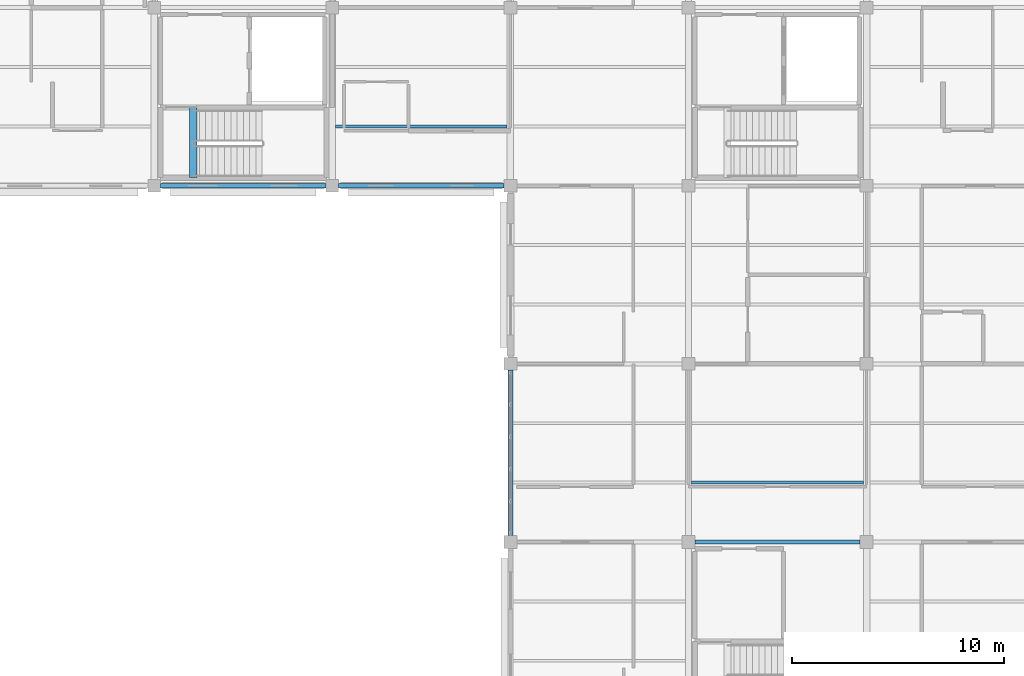
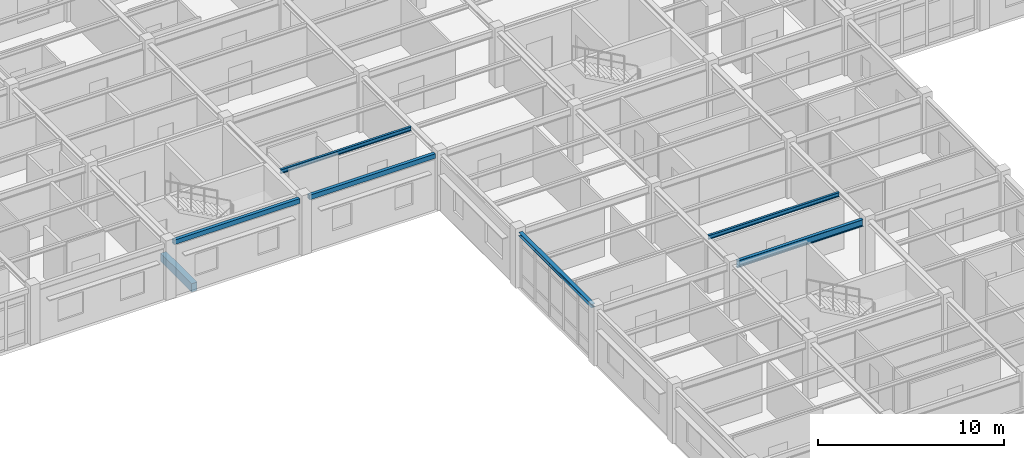
# One storey, part 20 of 70: 7 beams.
"""IFC4 building model written with IfcOpenShell, lengths in metres."""

from ifc_helpers import new_model, si_unit, direction, frame, origin, origin_2d, place, context, subcontext, project, spatial, rectangle, hollow_rectangle, i_section, extrude, material, material_profile, profile_set, type_object, element, save


model = new_model("IFC4")

# Units and contexts
model_context = context("Model", 3, precision=1e-05, world=origin(), true_north=direction((0.0, 1.0)))
body_context = subcontext(model_context, "Body", "Model", "MODEL_VIEW")
ifc_project = project(units=[si_unit("LENGTHUNIT", "METRE"), si_unit("AREAUNIT", "SQUARE_METRE"), si_unit("VOLUMEUNIT", "CUBIC_METRE"), si_unit("PLANEANGLEUNIT", "RADIAN"), si_unit("MASSUNIT", "GRAM", prefix="KILO")], contexts=[model_context])

# Site, building, storey
site_placement = place(None, origin())
site = spatial("IfcSite", under=ifc_project, at=site_placement, CompositionType="ELEMENT")
building_placement = place(site_placement, origin())
building = spatial("IfcBuilding", under=site, at=building_placement, Name="Bramfleet General Hospital", CompositionType="ELEMENT")
storey_placement = place(building_placement, frame((0.0, 0.0, 22.5)))
storey = spatial("IfcBuildingStorey", under=building, at=storey_placement, Name="L05", CompositionType="ELEMENT", Elevation=22.5)

# Beams
ifc_material_1 = material(Name="Steel S355", Category="steel")
ifc_material_profile_1 = material_profile(ifc_material_1, i_section(OverallWidth=0.239990234375, OverallDepth=0.22998046875, WebThickness=0.007568359375, FlangeThickness=0.011962890625, FilletRadius=0.02099609375, at=origin_2d()), Name="HEA 240")
ifc_profile_set_1 = profile_set([ifc_material_profile_1], Name="Steel S355")
beam_type_1 = type_object("IfcBeamType", Name="BM-HEA240", PredefinedType="SPANDREL", material=ifc_profile_set_1)
beam_1_placement = place(storey_placement, frame((92.39990234375, 75.89990234375, 3.5048828125), z_axis=(0.0, 1.0, 0.0), x_axis=(-1.0, 0.0, 0.0)))
element("IfcBeam", 1, at=beam_1_placement, inside=storey, type_object=beam_type_1, Name="L05 Grid Beam Y 11-09", PredefinedType="SPANDREL", context=body_context, shape_type="SweptSolid", body=[
    extrude(i_section(OverallWidth=0.239990234375, OverallDepth=0.22998046875, WebThickness=0.007568359375, FlangeThickness=0.011962890625, FilletRadius=0.02099609375, at=origin_2d()), origin(), (0.0, 0.0, 1.0), 7.800048828125),
])
ifc_material_profile_2 = material_profile(ifc_material_1, i_section(OverallWidth=0.135009765625, OverallDepth=0.27001953125, WebThickness=0.006591796875, FlangeThickness=0.01025390625, FilletRadius=0.014892578125, at=origin_2d()), Name="IPE 270")
ifc_profile_set_2 = profile_set([ifc_material_profile_2], Name="Steel S355")
beam_type_2 = type_object("IfcBeamType", Name="BM-IPE270", PredefinedType="JOIST", material=ifc_profile_set_2)
for number, where, z_axis, x_axis, name in (
    (2, (84.14990234375, 95.199951171875, 3.485107421875), (1.0, 0.0, 0.0), (0.0, 1.0, 0.0), "L05 Secondary Joist 10-11-1"),
    (3, (100.949951171875, 78.39990234375, 3.485107421875), (1.0, 0.0, 0.0), (0.0, 1.0, 0.0), "L05 Secondary Joist 12-09-1"),
):
    element("IfcBeam", number, at=place(storey_placement, frame(where, z_axis=z_axis, x_axis=x_axis)), inside=storey, type_object=beam_type_2, Name=name, PredefinedType="JOIST", context=body_context, shape_type="SweptSolid", body=[
        extrude(i_section(OverallWidth=0.135009765625, OverallDepth=0.27001953125, WebThickness=0.006591796875, FlangeThickness=0.01025390625, FilletRadius=0.014892578125, at=origin_2d()), origin(), (0.0, 0.0, 1.0), 8.10009765625),
    ])
ifc_material_profile_3 = material_profile(ifc_material_1, i_section(OverallWidth=0.18994140625, OverallDepth=0.449951171875, WebThickness=0.009521484375, FlangeThickness=0.0146484375, FilletRadius=0.02099609375, at=origin_2d()), Name="IPE 450")
ifc_profile_set_3 = profile_set([ifc_material_profile_3], Name="Steel S355")
beam_type_3 = type_object("IfcBeamType", Name="BM-IPE450", PredefinedType="BEAM", material=ifc_profile_set_3)
beam_2_placement = place(storey_placement, frame((101.10009765625, 75.60009765625, 3.39501953125), z_axis=(1.0, 0.0, 0.0), x_axis=(0.0, 1.0, 0.0)))
element("IfcBeam", 4, at=beam_2_placement, inside=storey, type_object=beam_type_3, Name="L05 Grid Beam X 12-09", PredefinedType="BEAM", context=body_context, shape_type="SweptSolid", body=[
    extrude(i_section(OverallWidth=0.18994140625, OverallDepth=0.449951171875, WebThickness=0.009521484375, FlangeThickness=0.0146484375, FilletRadius=0.02099609375, at=origin_2d()), origin(), (0.0, 0.0, 1.0), 7.7998046875),
])
ifc_material_2 = material(Name="Concrete C35/45", Category="concrete")
ifc_material_profile_4 = material_profile(ifc_material_2, rectangle(XDim=0.35009765625, YDim=0.550048828125, at=origin_2d()), Name="RC BM 550x350")
ifc_profile_set_4 = profile_set([ifc_material_profile_4], Name="Concrete C35/45")
beam_type_4 = type_object("IfcBeamType", Name="BM-RC550", PredefinedType="BEAM", material=ifc_profile_set_4)
beam_3_placement = place(storey_placement, frame((77.43994140625, 92.780029296875, -0.27490234375), z_axis=(0.0, 1.0, 0.0), x_axis=(-1.0, 0.0, 0.0)))
element("IfcBeam", 5, at=beam_3_placement, inside=storey, type_object=beam_type_4, Name="L05 C5 Stairwell Trimmer Beam", PredefinedType="BEAM", context=body_context, shape_type="SweptSolid", body=[
    extrude(rectangle(XDim=0.35009765625, YDim=0.550048828125, at=origin_2d()), origin(), (0.0, 0.0, 1.0), 3.320068359375),
])
ifc_material_profile_5 = material_profile(ifc_material_1, hollow_rectangle(XDim=0.199951171875, YDim=0.300048828125, WallThickness=0.012451171875, at=origin_2d()), Name="RHS 300x200x12.5")
ifc_profile_set_5 = profile_set([ifc_material_profile_5], Name="Steel S355")
beam_type_5 = type_object("IfcBeamType", Name="BM-RHS300", PredefinedType="SPANDREL", material=ifc_profile_set_5)
for number, where, z_axis, x_axis, name in (
    (6, (75.89990234375, 92.39990234375, 3.469970703125), (1.0, 0.0, 0.0), (0.0, 1.0, 0.0), "L05 Grid Beam X 09-11"),
    (7, (84.300048828125, 92.39990234375, 3.469970703125), (1.0, 0.0, 0.0), (0.0, 1.0, 0.0), "L05 Grid Beam X 10-11"),
):
    element("IfcBeam", number, at=place(storey_placement, frame(where, z_axis=z_axis, x_axis=x_axis)), inside=storey, type_object=beam_type_5, Name=name, PredefinedType="SPANDREL", context=body_context, shape_type="SweptSolid", body=[
        extrude(hollow_rectangle(XDim=0.199951171875, YDim=0.300048828125, WallThickness=0.012451171875, at=origin_2d()), origin(), (0.0, 0.0, 1.0), 7.800048828125),
    ])

save(model, "model.ifc")
